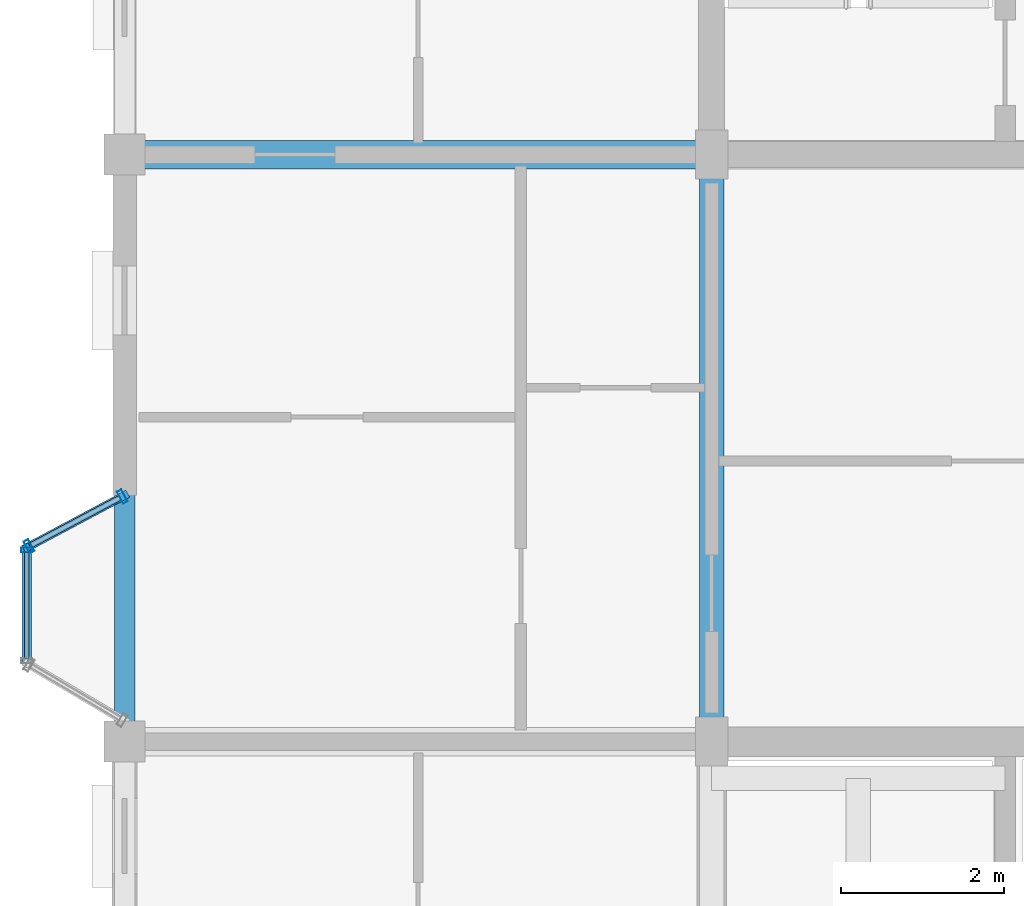
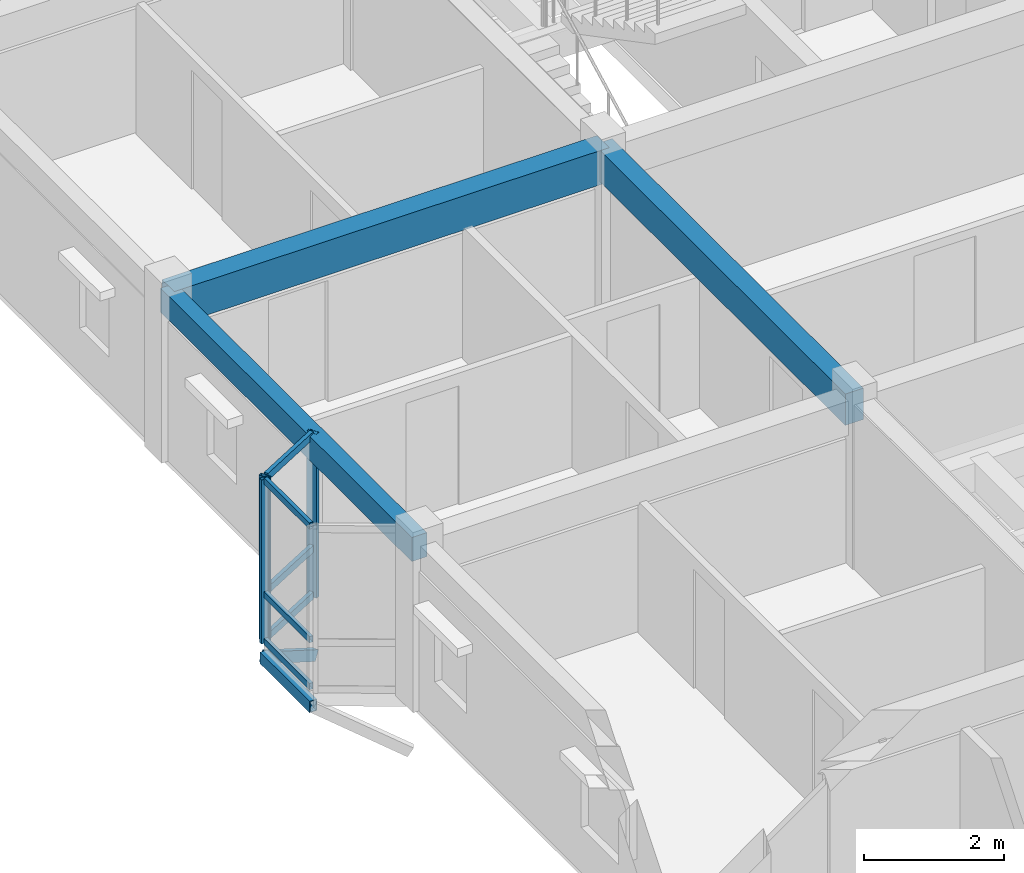
# One storey, part 10 of 64: 11 members, 3 beams, 2 elements without a shape of their own.
"""IFC4 building model written with IfcOpenShell, lengths in metres."""

from ifc_helpers import new_model, si_unit, direction, frame, origin, origin_2d, place, context, subcontext, project, spatial, rectangle, hollow_rectangle, extrude, material, layer, layer_set, material_profile, profile_set, type_object, element, aggregate, save


model = new_model("IFC4")

# Units and contexts
model_context = context("Model", 3, precision=1e-05, world=origin(), true_north=direction((0.0, 1.0)))
body_context = subcontext(model_context, "Body", "Model", "MODEL_VIEW")
ifc_project = project(units=[si_unit("LENGTHUNIT", "METRE"), si_unit("AREAUNIT", "SQUARE_METRE"), si_unit("VOLUMEUNIT", "CUBIC_METRE"), si_unit("PLANEANGLEUNIT", "RADIAN"), si_unit("MASSUNIT", "GRAM", prefix="KILO"), si_unit("THERMODYNAMICTEMPERATUREUNIT", "KELVIN"), si_unit("POWERUNIT", "WATT")], contexts=[model_context])

# Site, building, storey
site_placement = place(None, origin())
site = spatial("IfcSite", under=ifc_project, at=site_placement, CompositionType="ELEMENT")
building_placement = place(site_placement, origin())
building = spatial("IfcBuilding", under=site, at=building_placement, Name="Tavuni Mirador Residences", CompositionType="ELEMENT")
storey_placement = place(building_placement, frame((0.0, 0.0, 26.550048828125)))
storey = spatial("IfcBuildingStorey", under=building, at=storey_placement, Name="L08", CompositionType="ELEMENT", Elevation=26.550048828125)

# Beams
ifc_material_1 = material(Name="Precast concrete C40/50", Category="concrete")
ifc_material_profile_1 = material_profile(ifc_material_1, rectangle(XDim=0.300048828125, YDim=0.550048828125, at=origin_2d()), Name="PC 300x550", Category="concrete")
ifc_profile_set_1 = profile_set([ifc_material_profile_1], Name="Precast concrete C40/50")
beam_type_1 = type_object("IfcBeamType", Name="BT-B550", PredefinedType="BEAM", material=ifc_profile_set_1)
beam_1_placement = place(storey_placement, frame((10.800048828125, 21.60009765625, 2.594970703125), z_axis=(0.0, 1.0, 0.0), x_axis=(-1.0, 0.0, 0.0)))
element("IfcBeam", 1, at=beam_1_placement, inside=storey, type_object=beam_type_1, Name="BMY-BLK-A-L08-01-02", PredefinedType="BEAM", context=body_context, shape_type="SweptSolid", body=[
    extrude(rectangle(XDim=0.300048828125, YDim=0.550048828125, at=origin_2d()), origin(), (0.0, 0.0, 1.0), 7.199951171875),
])
ifc_material_profile_2 = material_profile(ifc_material_1, rectangle(XDim=0.35009765625, YDim=0.60009765625, at=origin_2d()), Name="PC 350x600", Category="concrete")
ifc_profile_set_2 = profile_set([ifc_material_profile_2], Name="Precast concrete C40/50")
beam_type_2 = type_object("IfcBeamType", Name="BT-B600", PredefinedType="BEAM", material=ifc_profile_set_2)
beam_2_placement = place(storey_placement, frame((3.60009765625, 28.800048828125, 2.570068359375), z_axis=(1.0, 0.0, 0.0), x_axis=(0.0, 1.0, 0.0)))
element("IfcBeam", 2, at=beam_2_placement, inside=storey, type_object=beam_type_2, Name="BMX-BLK-A-L08-00-03", PredefinedType="BEAM", context=body_context, shape_type="SweptSolid", body=[
    extrude(rectangle(XDim=0.35009765625, YDim=0.60009765625, at=origin_2d()), origin(), (0.0, 0.0, 1.0), 7.199951171875),
])
ifc_material_profile_3 = material_profile(ifc_material_1, rectangle(XDim=0.25, YDim=0.419921875, at=origin_2d()), Name="PC 250x420", Category="concrete")
ifc_profile_set_3 = profile_set([ifc_material_profile_3], Name="Precast concrete C40/50")
beam_type_3 = type_object("IfcBeamType", Name="BT-SP420", PredefinedType="SPANDREL", material=ifc_profile_set_3)
beam_3_placement = place(storey_placement, frame((3.60009765625, 21.60009765625, 2.659912109375), z_axis=(0.0, 1.0, 0.0), x_axis=(-1.0, 0.0, 0.0)))
element("IfcBeam", 3, at=beam_3_placement, inside=storey, type_object=beam_type_3, Name="BMY-BLK-A-L08-00-02", PredefinedType="SPANDREL", context=body_context, shape_type="SweptSolid", body=[
    extrude(rectangle(XDim=0.25, YDim=0.419921875, at=origin_2d()), origin(), (0.0, 0.0, 1.0), 7.199951171875),
])

# Curtain wall, member
ifc_material_2 = material(Name="Anodised aluminium", Category="aluminium")
ifc_layer_1 = layer(ifc_material_2, 0.1650390625, Name="Anodised aluminium", Category="aluminium")
ifc_layer_set_1 = layer_set([ifc_layer_1], Name="Anodised aluminium")
curtain_wall_type_1 = type_object("IfcCurtainWallType", Name="CWT-MIR-A", PredefinedType="NOTDEFINED", material=ifc_layer_set_1)
curtain_wall_1_placement = place(storey_placement, origin())
curtain_wall_1 = element("IfcCurtainWall", 4, at=curtain_wall_1_placement, inside=storey, type_object=curtain_wall_type_1, Name="CW-MIR-A-W2-L08-MF", PredefinedType="NOTDEFINED")
ifc_material_profile_4 = material_profile(ifc_material_2, hollow_rectangle(XDim=0.06005859375, YDim=0.139892578125, WallThickness=0.00390625, at=origin_2d()), Name="ALU 60x140x4.0", Category="aluminium")
ifc_profile_set_4 = profile_set([ifc_material_profile_4], Name="Anodised aluminium")
member_type_1 = type_object("IfcMemberType", Name="CWM-140", PredefinedType="MULLION", material=ifc_profile_set_4)
member_1_placement = place(storey_placement, frame((2.39990234375, 23.949951171875, 0.0), z_axis=(0.0, 0.0, 1.0), x_axis=(0.0, -1.0, 0.0)))
member_1 = element("IfcMember", 5, at=member_1_placement, type_object=member_type_1, Name="CW-01 mullion 1", PredefinedType="MULLION", context=body_context, shape_type="SweptSolid", body=[
    extrude(hollow_rectangle(XDim=0.06005859375, YDim=0.139892578125, WallThickness=0.00390625, at=origin_2d()), origin(), (0.0, 0.0, 1.0), 2.869873046875),
])

# Curtain wall, members
ifc_layer_2 = layer(ifc_material_2, 0.159912109375, Name="Anodised aluminium", Category="aluminium")
ifc_layer_set_2 = layer_set([ifc_layer_2], Name="Anodised aluminium")
curtain_wall_type_2 = type_object("IfcCurtainWallType", Name="CWT-MIR-D", PredefinedType="NOTDEFINED", material=ifc_layer_set_2)
curtain_wall_2_placement = place(storey_placement, origin())
curtain_wall_2 = element("IfcCurtainWall", 6, at=curtain_wall_2_placement, inside=storey, type_object=curtain_wall_type_2, Name="CW-MIR-A-W2-L08-M1", PredefinedType="NOTDEFINED")
ifc_material_profile_5 = material_profile(ifc_material_2, hollow_rectangle(XDim=0.06494140625, YDim=0.1650390625, WallThickness=0.00439453125, at=origin_2d()), Name="ALU 65x165x4.5", Category="aluminium")
ifc_profile_set_5 = profile_set([ifc_material_profile_5], Name="Anodised aluminium")
member_type_2 = type_object("IfcMemberType", Name="CWM-165", PredefinedType="MULLION", material=ifc_profile_set_5)
member_2_placement = place(storey_placement, frame((3.5712890625, 24.604736328125, 0.0), z_axis=(0.0, 0.0, 1.0), x_axis=(-0.882352941175, -0.470588235296, 0.0)))
member_2 = element("IfcMember", 7, at=member_2_placement, type_object=member_type_2, Name="CW-04 mullion 1", PredefinedType="MULLION", context=body_context, shape_type="SweptSolid", body=[
    extrude(hollow_rectangle(XDim=0.06494140625, YDim=0.1650390625, WallThickness=0.00439453125, at=origin_2d()), origin(), (0.0, 0.0, 1.0), 2.869873046875),
])
member_3_placement = place(storey_placement, frame((2.4287109375, 23.995361328125, 0.0), z_axis=(0.0, 0.0, 1.0), x_axis=(-0.882352941175, -0.470588235296, 0.0)))
member_3 = element("IfcMember", 8, at=member_3_placement, type_object=member_type_2, Name="CW-04 mullion 2", PredefinedType="MULLION", context=body_context, shape_type="SweptSolid", body=[
    extrude(hollow_rectangle(XDim=0.06494140625, YDim=0.1650390625, WallThickness=0.00439453125, at=origin_2d()), origin(), (0.0, 0.0, 1.0), 2.869873046875),
])

# Member
ifc_material_profile_6 = material_profile(ifc_material_2, hollow_rectangle(XDim=0.06005859375, YDim=0.110107421875, WallThickness=0.00390625, at=origin_2d()), Name="ALU 60x110x4.0", Category="aluminium")
ifc_profile_set_6 = profile_set([ifc_material_profile_6], Name="Anodised aluminium")
member_type_3 = type_object("IfcMemberType", Name="CWT-110", PredefinedType="USERDEFINED", material=ifc_profile_set_6)
member_4_placement = place(storey_placement, frame((2.39990234375, 23.919921875, 0.030029296875), z_axis=(0.0, -1.0, 0.0), x_axis=(1.0, 0.0, 0.0)))
member_4 = element("IfcMember", 9, at=member_4_placement, type_object=member_type_3, Name="CW-01 transom 1.1", ObjectType="TRANSOM", PredefinedType="USERDEFINED", context=body_context, shape_type="SweptSolid", body=[
    extrude(hollow_rectangle(XDim=0.06005859375, YDim=0.110107421875, WallThickness=0.00390625, at=origin_2d()), origin(), (0.0, 0.0, 1.0), 1.2998046875),
])

member_5_placement = place(storey_placement, frame((2.39990234375, 23.919921875, 0.849853515625), z_axis=(0.0, -1.0, 0.0), x_axis=(1.0, 0.0, 0.0)))
member_5 = element("IfcMember", 10, at=member_5_placement, type_object=member_type_3, Name="CW-01 transom 1.2", ObjectType="TRANSOM", PredefinedType="USERDEFINED", context=body_context, shape_type="SweptSolid", body=[
    extrude(hollow_rectangle(XDim=0.06005859375, YDim=0.110107421875, WallThickness=0.00390625, at=origin_2d()), origin(), (0.0, 0.0, 1.0), 1.2998046875),
])

member_6_placement = place(storey_placement, frame((2.39990234375, 23.919921875, 2.83984375), z_axis=(0.0, -1.0, 0.0), x_axis=(1.0, 0.0, 0.0)))
member_6 = element("IfcMember", 11, at=member_6_placement, type_object=member_type_3, Name="CW-01 transom 1.3", ObjectType="TRANSOM", PredefinedType="USERDEFINED", context=body_context, shape_type="SweptSolid", body=[
    extrude(hollow_rectangle(XDim=0.06005859375, YDim=0.110107421875, WallThickness=0.00390625, at=origin_2d()), origin(), (0.0, 0.0, 1.0), 1.2998046875),
])

aggregate(curtain_wall_1, [member_1, member_4, member_5, member_6])

ifc_material_profile_7 = material_profile(ifc_material_2, hollow_rectangle(XDim=0.06494140625, YDim=0.125, WallThickness=0.00439453125, at=origin_2d()), Name="ALU 65x125x4.5", Category="aluminium")
ifc_profile_set_7 = profile_set([ifc_material_profile_7], Name="Anodised aluminium")
member_type_4 = type_object("IfcMemberType", Name="CWT-125", PredefinedType="USERDEFINED", material=ifc_profile_set_7)
member_7_placement = place(storey_placement, frame((3.542724609375, 24.58935546875, 0.032470703125), z_axis=(-0.882369422046, -0.47055733236, 0.0), x_axis=(0.47055733236, -0.882369422046, 0.0)))
member_7 = element("IfcMember", 12, at=member_7_placement, type_object=member_type_4, Name="CW-04 transom 1.1", ObjectType="TRANSOM", PredefinedType="USERDEFINED", context=body_context, shape_type="SweptSolid", body=[
    extrude(hollow_rectangle(XDim=0.06494140625, YDim=0.125, WallThickness=0.00439453125, at=origin_2d()), origin(), (0.0, 0.0, 1.0), 1.230224609375),
])

member_8_placement = place(storey_placement, frame((3.542724609375, 24.58935546875, 0.849853515625), z_axis=(-0.882369422046, -0.47055733236, 0.0), x_axis=(0.47055733236, -0.882369422046, 0.0)))
member_8 = element("IfcMember", 13, at=member_8_placement, type_object=member_type_4, Name="CW-04 transom 1.2", ObjectType="TRANSOM", PredefinedType="USERDEFINED", context=body_context, shape_type="SweptSolid", body=[
    extrude(hollow_rectangle(XDim=0.06494140625, YDim=0.125, WallThickness=0.00439453125, at=origin_2d()), origin(), (0.0, 0.0, 1.0), 1.230224609375),
])

member_9_placement = place(storey_placement, frame((3.542724609375, 24.58935546875, 2.83740234375), z_axis=(-0.882369422046, -0.47055733236, 0.0), x_axis=(0.47055733236, -0.882369422046, 0.0)))
member_9 = element("IfcMember", 14, at=member_9_placement, type_object=member_type_4, Name="CW-04 transom 1.3", ObjectType="TRANSOM", PredefinedType="USERDEFINED", context=body_context, shape_type="SweptSolid", body=[
    extrude(hollow_rectangle(XDim=0.06494140625, YDim=0.125, WallThickness=0.00439453125, at=origin_2d()), origin(), (0.0, 0.0, 1.0), 1.230224609375),
])

aggregate(curtain_wall_2, [member_2, member_3, member_7, member_8, member_9])

# Members
ifc_material_3 = material(Name="Structural steel S355", Category="steel")
ifc_material_profile_8 = material_profile(ifc_material_3, hollow_rectangle(XDim=0.10009765625, YDim=0.179931640625, WallThickness=0.008056640625, at=origin_2d()), Name="RHS 180x100x8.0", Category="steel")
ifc_profile_set_8 = profile_set([ifc_material_profile_8], Name="Structural steel S355")
member_type_5 = type_object("IfcMemberType", Name="MT-BR-RHS180", PredefinedType="BRACE", material=ifc_profile_set_8)
member_10_placement = place(storey_placement, frame((3.60009765625, 24.6201171875, -1.050048828125), z_axis=(-0.767847080655, -0.409539268811, 0.492634192918), x_axis=(0.470606866739, -0.882343004153, 0.0)))
element("IfcMember", 15, at=member_10_placement, inside=storey, type_object=member_type_5, Name="MBRK-MIR-A-W2-L08-2", PredefinedType="BRACE", context=body_context, shape_type="SweptSolid", body=[
    extrude(hollow_rectangle(XDim=0.10009765625, YDim=0.179931640625, WallThickness=0.008056640625, at=origin_2d()), origin(), (0.0, 0.0, 1.0), 1.56298828125),
])
ifc_material_profile_9 = material_profile(ifc_material_3, hollow_rectangle(XDim=0.1201171875, YDim=0.199951171875, WallThickness=0.010009765625, at=origin_2d()), Name="RHS 200x120x10.0", Category="steel")
ifc_profile_set_9 = profile_set([ifc_material_profile_9], Name="Structural steel S355")
member_type_6 = type_object("IfcMemberType", Name="MT-ST-RHS200", PredefinedType="STRUT", material=ifc_profile_set_9)
member_11_placement = place(storey_placement, frame((2.39990234375, 22.56005859375, -0.280029296875), z_axis=(0.0, 1.0, 0.0), x_axis=(-1.0, 0.0, 0.0)))
element("IfcMember", 16, at=member_11_placement, inside=storey, type_object=member_type_6, Name="MRIM-MIR-A-W2-L08", PredefinedType="STRUT", context=body_context, shape_type="SweptSolid", body=[
    extrude(hollow_rectangle(XDim=0.1201171875, YDim=0.199951171875, WallThickness=0.010009765625, at=origin_2d()), origin(), (0.0, 0.0, 1.0), 1.419921875),
])

save(model, "model.ifc")
